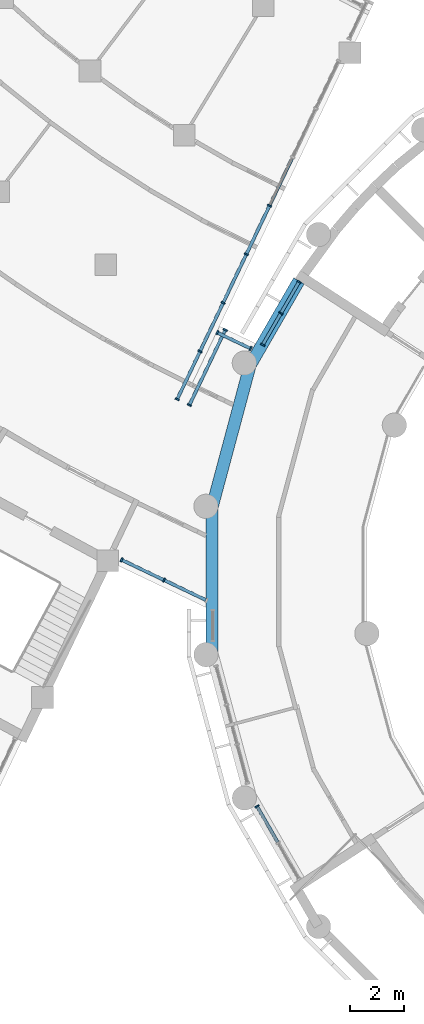
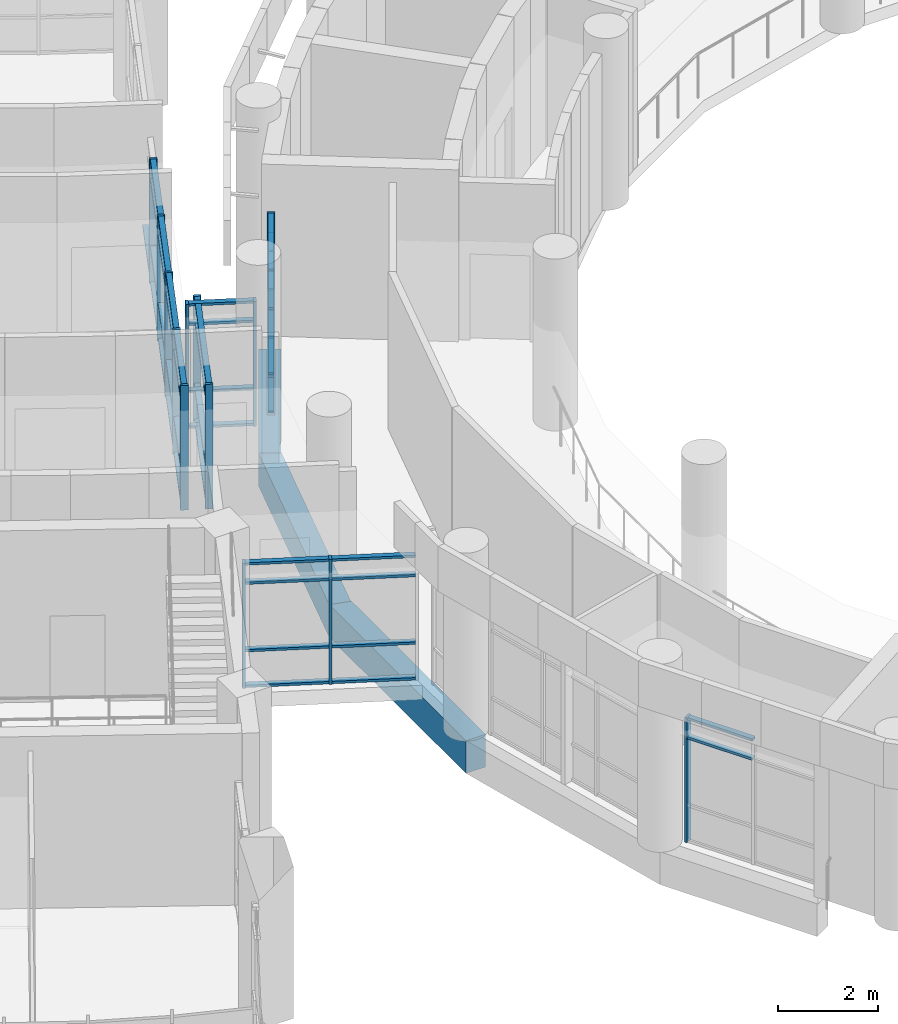
# One storey, part 7 of 109: 58 members, 3 beams, 6 elements without a shape of their own.
"""IFC4 building model written with IfcOpenShell, lengths in metres."""

import ifcopenshell
import ifcopenshell.guid

model = None  # the IFC model being written
_history = None  # IfcOwnerHistory: only IFC2X3 demands one
_inside = {}  # id of a spatial element -> (the spatial element, [elements in it])
_under = {}  # id of a project, library or spatial element -> (it, [spatial elements below it])
_declared = {}  # id of a project -> (the project, [libraries it declares])
_typed = {}  # id of a type object -> (the type object, [elements of that type])
_made_of = {}  # id of a material, layer set ... -> (it, [elements and type objects made of it])


def new_model(schema):
    """Start an empty IFC model of exactly this schema.

    Asked for "IFC4X3", IfcOpenShell would pick the latest addendum, in which some entities
    have other attributes; the version numbers below select the first issue.
    IFC2X3 requires an IfcOwnerHistory on every rooted entity: one is made here for all.
    """
    global model, _history
    if schema == "IFC4X3":
        model = ifcopenshell.file(schema_version=(4, 3, 0, 0))
    else:
        model = ifcopenshell.file(schema=schema)
    _inside.clear()
    _under.clear()
    _declared.clear()
    _typed.clear()
    _made_of.clear()
    _history = None
    if model.schema == "IFC2X3":
        org = make("IfcOrganization", Name="unknown")
        user = make(
            "IfcPersonAndOrganization",
            ThePerson=make("IfcPerson", FamilyName="unknown"),
            TheOrganization=org,
        )
        app = make(
            "IfcApplication",
            ApplicationDeveloper=org,
            Version="unknown",
            ApplicationFullName="unknown",
            ApplicationIdentifier="unknown",
        )
        _history = make(
            "IfcOwnerHistory",
            OwningUser=user,
            OwningApplication=app,
            ChangeAction="ADDED",
            CreationDate=0,
        )
    return model


def make(cls, **values):
    """One entity of the class cls with the attributes given. An attribute that is None is left unset."""
    return model.create_entity(
        cls, **{name: value for name, value in values.items() if value is not None}
    )


def rooted(cls, **values):
    """An entity with a GlobalId (a new one), such as an element, a storey or a relation."""
    return make(cls, GlobalId=ifcopenshell.guid.new(), OwnerHistory=_history, **values)


def si_unit(unit_type, name, prefix=None):
    """IfcSIUnit, for example si_unit("LENGTHUNIT", "METRE", prefix="MILLI")."""
    return make("IfcSIUnit", UnitType=unit_type, Prefix=prefix, Name=name)


def assignment(units):
    """IfcUnitAssignment: the units of a project."""
    return None if units is None else make("IfcUnitAssignment", Units=units)


def point(xyz):
    """IfcCartesianPoint."""
    return None if xyz is None else make("IfcCartesianPoint", Coordinates=xyz)


def direction(xyz):
    """IfcDirection."""
    return None if xyz is None else make("IfcDirection", DirectionRatios=xyz)


def frame(location, z_axis=None, x_axis=None):
    """IfcAxis2Placement3D, a coordinate frame: its origin and axes. An axis left out is left unset."""
    return make(
        "IfcAxis2Placement3D",
        Location=point(location),
        Axis=direction(z_axis),
        RefDirection=direction(x_axis),
    )


def frame_2d(location, x_axis=None):
    """IfcAxis2Placement2D, a coordinate frame in the plane: its origin and x axis."""
    return make(
        "IfcAxis2Placement2D", Location=point(location), RefDirection=direction(x_axis)
    )


def origin():
    """The frame at (0, 0, 0) with its axes left unset."""
    return frame((0.0, 0.0, 0.0))


def origin_2d():
    """The frame at (0, 0) in the plane with its x axis left unset."""
    return frame_2d((0.0, 0.0))


def place(relative_to, where):
    """IfcLocalPlacement: puts the frame where relative to a parent placement (None: the world)."""
    return make(
        "IfcLocalPlacement", PlacementRelTo=relative_to, RelativePlacement=where
    )


def context(
    kind, dimensions, precision=None, world=None, true_north=None, identifier=None
):
    """IfcGeometricRepresentationContext, for example the 3D "Model" context."""
    return make(
        "IfcGeometricRepresentationContext",
        ContextIdentifier=identifier,
        ContextType=kind,
        CoordinateSpaceDimension=dimensions,
        Precision=precision,
        WorldCoordinateSystem=world,
        TrueNorth=true_north,
    )


def subcontext(parent, identifier, kind, view, scale=None):
    """IfcGeometricRepresentationSubContext, for example "Body" below "Model"."""
    return make(
        "IfcGeometricRepresentationSubContext",
        ContextIdentifier=identifier,
        ContextType=kind,
        ParentContext=parent,
        TargetScale=scale,
        TargetView=view,
    )


def project(units=None, contexts=None):
    """IfcProject with its units and contexts."""
    return rooted(
        "IfcProject",
        Name="project",
        RepresentationContexts=contexts,
        UnitsInContext=assignment(units),
    )


def spatial(cls, under=None, at=None, **own):
    """A site, building, storey or space (cls), placed at a placement, below another one or the project."""
    s = rooted(cls, ObjectPlacement=at, **own)
    if under is not None:
        _under.setdefault(under.id(), (under, []))[1].append(s)
    return s


def profile(cls, at=None, kind="AREA", **sizes):
    """A parametric profile (cls). Its sizes go by their IFC names, for example OverallWidth=200.0."""
    return make(cls, ProfileType=kind, Position=at, **sizes)


def rectangle(**sizes):
    """IfcRectangleProfileDef."""
    return profile("IfcRectangleProfileDef", **sizes)


def extrude(swept, where, along, depth):
    """IfcExtrudedAreaSolid: the profile swept, set in the frame where, extruded along a direction by depth."""
    return make(
        "IfcExtrudedAreaSolid",
        SweptArea=swept,
        Position=where,
        ExtrudedDirection=direction(along),
        Depth=depth,
    )


def shape(context_of_items, identifier, shape_type, items):
    """IfcShapeRepresentation: the items that make up one representation, for example the "Body"."""
    return make(
        "IfcShapeRepresentation",
        ContextOfItems=context_of_items,
        RepresentationIdentifier=identifier,
        RepresentationType=shape_type,
        Items=items,
    )


def material(Name=None, Category=None):
    """IfcMaterial."""
    return make("IfcMaterial", Name=Name, Category=Category)


def material_profile(
    of_material, cross_section, Name=None, Category=None, Priority=None
):
    """IfcMaterialProfile: a cross section and its material."""
    return make(
        "IfcMaterialProfile",
        Name=Name,
        Material=of_material,
        Profile=cross_section,
        Priority=Priority,
        Category=Category,
    )


def profile_set(profiles, Name=None, composite=None):
    """IfcMaterialProfileSet."""
    return make(
        "IfcMaterialProfileSet",
        Name=Name,
        MaterialProfiles=profiles,
        CompositeProfile=composite,
    )


def made_of(thing, what):
    """Note that an element or type object is made of a material, layer set ...; save() writes the relation."""
    if what is not None:
        _made_of.setdefault(what.id(), (what, []))[1].append(thing)
    return thing


def type_object(cls, material=None, **own):
    """A type object (cls), such as IfcWallType, which elements share."""
    return made_of(rooted(cls, **own), material)


def element(
    cls,
    number,
    at=None,
    inside=None,
    cuts=None,
    type_object=None,
    material=None,
    context=None,
    identifier="Body",
    shape_type=None,
    held_by="IfcProductDefinitionShape",
    body=None,
    shapes=None,
    **own,
):
    """One element of the class cls, such as IfcWall. Its Tag is "e" and its number.

    at: its placement. inside: the storey or other place that contains it. cuts: it is an
    opening in that element (IfcRelVoidsElement). A single representation is given by context,
    identifier, shape_type and body (its items); several are given by shapes. held_by: the class
    of the entity that holds the representations. save() writes the other relations.
    """
    e = rooted(cls, Tag="e%d" % number, ObjectPlacement=at, **own)
    if body is not None:
        shapes = [shape(context, identifier, shape_type, body)]
    if shapes is not None:
        e.Representation = make(held_by, Representations=shapes)
    if inside is not None:
        _inside.setdefault(inside.id(), (inside, []))[1].append(e)
    if cuts is not None:
        rooted(
            "IfcRelVoidsElement", RelatingBuildingElement=cuts, RelatedOpeningElement=e
        )
    if type_object is not None:
        _typed.setdefault(type_object.id(), (type_object, []))[1].append(e)
    return made_of(e, material)


def aggregate(whole, parts):
    """IfcRelAggregates: a whole, such as a stair, and the parts it consists of."""
    return rooted("IfcRelAggregates", RelatingObject=whole, RelatedObjects=parts)


def save(model, path):
    """Write the relations noted so far, then the file.

    IfcRelAggregates (storeys below a building ...), IfcRelContainedInSpatialStructure (elements
    in a storey), IfcRelDefinesByType, IfcRelAssociatesMaterial and IfcRelDeclares: one each for
    every whole, place, type object, material and project.
    """
    for whole, parts in _under.values():
        aggregate(whole, parts)
    for where, things in _inside.values():
        rooted(
            "IfcRelContainedInSpatialStructure",
            RelatedElements=things,
            RelatingStructure=where,
        )
    for kind, things in _typed.values():
        rooted("IfcRelDefinesByType", RelatedObjects=things, RelatingType=kind)
    for what, things in _made_of.values():
        rooted("IfcRelAssociatesMaterial", RelatedObjects=things, RelatingMaterial=what)
    for by, libraries in _declared.values():
        rooted("IfcRelDeclares", RelatingContext=by, RelatedDefinitions=libraries)
    model.write(path)


model = new_model("IFC4")

# Units and contexts
model_context = context("Model", 3, precision=1e-05, world=origin(), true_north=direction((0.0, 1.0)))
body_context = subcontext(model_context, "Body", "Model", "MODEL_VIEW")
ifc_project = project(units=[si_unit("LENGTHUNIT", "METRE"), si_unit("AREAUNIT", "SQUARE_METRE"), si_unit("VOLUMEUNIT", "CUBIC_METRE"), si_unit("PLANEANGLEUNIT", "RADIAN"), si_unit("MASSUNIT", "GRAM", prefix="KILO")], contexts=[model_context])

# Site, building, storey
site_placement = place(None, origin())
site = spatial("IfcSite", under=ifc_project, at=site_placement, CompositionType="ELEMENT")
building_placement = place(site_placement, origin())
building = spatial("IfcBuilding", under=site, at=building_placement, Name="Bougainvillea Quay General Hospital", CompositionType="ELEMENT")
storey_placement = place(building_placement, frame((0.0, 0.0, 12.60009765625)))
storey = spatial("IfcBuildingStorey", under=building, at=storey_placement, Name="L02", CompositionType="ELEMENT", Elevation=12.60009765625)

# Curtain wall, members
ifc_material_1 = material(Name="Aluminium curtain wall system, powder-coated glazed", Category="aluminium")
curtain_wall_type_1 = type_object("IfcCurtainWallType", Name="Unitised curtain wall CW-1770", PredefinedType="NOTDEFINED", material=ifc_material_1)
curtain_wall_1_placement = place(storey_placement, origin())
curtain_wall_1 = element("IfcCurtainWall", 1, at=curtain_wall_1_placement, inside=storey, type_object=curtain_wall_type_1, Name="CW-AE 00", PredefinedType="NOTDEFINED")
ifc_material_2 = material(Name="Aluminium mullion, powder-coated charcoal", Category="aluminium")
ifc_material_profile_1 = material_profile(ifc_material_2, rectangle(XDim=0.159912109375, YDim=0.06005859375, at=origin_2d()))
ifc_profile_set_1 = profile_set([ifc_material_profile_1], Name="Aluminium mullion, powder-coated charcoal")
member_type_1 = type_object("IfcMemberType", Name="Curtain wall mullion 160x60", PredefinedType="MULLION", material=ifc_profile_set_1)
member_1_placement = place(storey_placement, frame((85.2607421875, 74.764892578125, 0.0), z_axis=(0.0, 0.0, 1.0), x_axis=(0.430463026068, 0.902608211345, 0.0)))
member_1 = element("IfcMember", 2, at=member_1_placement, type_object=member_type_1, Name="CW-AE mullion 1", PredefinedType="MULLION", context=body_context, shape_type="SweptSolid", body=[
    extrude(rectangle(XDim=0.159912109375, YDim=0.06005859375, at=origin_2d()), origin(), (0.0, 0.0, 1.0), 3.0498046875),
])
member_2_placement = place(storey_placement, frame((86.83056640625, 74.016357421875, 0.0), z_axis=(0.0, 0.0, 1.0), x_axis=(0.430463026068, 0.902608211345, 0.0)))
member_2 = element("IfcMember", 3, at=member_2_placement, type_object=member_type_1, Name="CW-AE mullion 2", PredefinedType="MULLION", context=body_context, shape_type="SweptSolid", body=[
    extrude(rectangle(XDim=0.159912109375, YDim=0.06005859375, at=origin_2d()), origin(), (0.0, 0.0, 1.0), 3.0498046875),
])

curtain_wall_type_2 = type_object("IfcCurtainWallType", Name="Unitised curtain wall CW-1422", PredefinedType="NOTDEFINED", material=ifc_material_1)
curtain_wall_2_placement = place(storey_placement, origin())
curtain_wall_2 = element("IfcCurtainWall", 4, at=curtain_wall_2_placement, inside=storey, type_object=curtain_wall_type_2, Name="CW-AE 00", PredefinedType="NOTDEFINED")
member_3_placement = place(storey_placement, frame((90.0283203125, 82.5732421875, 0.0), z_axis=(0.0, 0.0, 1.0), x_axis=(-0.430534245195, -0.902574242771, 0.0)))
member_3 = element("IfcMember", 5, at=member_3_placement, type_object=member_type_1, Name="CW-AE mullion 1", PredefinedType="MULLION", context=body_context, shape_type="SweptSolid", body=[
    extrude(rectangle(XDim=0.159912109375, YDim=0.06005859375, at=origin_2d()), origin(), (0.0, 0.0, 1.0), 3.0498046875),
])
member_4_placement = place(storey_placement, frame((88.799560546875, 83.159423828125, 0.0), z_axis=(0.0, 0.0, 1.0), x_axis=(-0.430534245195, -0.902574242771, 0.0)))
member_4 = element("IfcMember", 6, at=member_4_placement, type_object=member_type_1, Name="CW-AE mullion 2", PredefinedType="MULLION", context=body_context, shape_type="SweptSolid", body=[
    extrude(rectangle(XDim=0.159912109375, YDim=0.06005859375, at=origin_2d()), origin(), (0.0, 0.0, 1.0), 3.0498046875),
])

curtain_wall_type_3 = type_object("IfcCurtainWallType", Name="Unitised curtain wall CW-3140", PredefinedType="NOTDEFINED", material=ifc_material_1)
curtain_wall_3_placement = place(storey_placement, origin())
curtain_wall_3 = element("IfcCurtainWall", 7, at=curtain_wall_3_placement, inside=storey, type_object=curtain_wall_type_3, Name="CW-AE 00", PredefinedType="NOTDEFINED")
member_5_placement = place(storey_placement, frame((89.0927734375, 83.26318359375, 0.0), z_axis=(0.0, 0.0, 1.0), x_axis=(0.902495109384, -0.430700101624, 0.0)))
member_5 = element("IfcMember", 8, at=member_5_placement, type_object=member_type_1, Name="CW-AE mullion 1", PredefinedType="MULLION", context=body_context, shape_type="SweptSolid", body=[
    extrude(rectangle(XDim=0.159912109375, YDim=0.06005859375, at=origin_2d()), origin(), (0.0, 0.0, 1.0), 3.0498046875),
])
member_6_placement = place(storey_placement, frame((87.7666015625, 80.484375, 0.0), z_axis=(0.0, 0.0, 1.0), x_axis=(0.902495109384, -0.430700101624, 0.0)))
member_6 = element("IfcMember", 9, at=member_6_placement, type_object=member_type_1, Name="CW-AE mullion 2", PredefinedType="MULLION", context=body_context, shape_type="SweptSolid", body=[
    extrude(rectangle(XDim=0.159912109375, YDim=0.06005859375, at=origin_2d()), origin(), (0.0, 0.0, 1.0), 3.0498046875),
])

curtain_wall_type_4 = type_object("IfcCurtainWallType", Name="Unitised curtain wall CW-1989", PredefinedType="NOTDEFINED", material=ifc_material_1)
curtain_wall_4_placement = place(storey_placement, origin())
curtain_wall_4 = element("IfcCurtainWall", 10, at=curtain_wall_4_placement, inside=storey, type_object=curtain_wall_type_4, Name="CW-AE 00", PredefinedType="NOTDEFINED")
member_7_placement = place(storey_placement, frame((87.315185546875, 80.69970703125, 0.0), z_axis=(0.0, 0.0, 1.0), x_axis=(-0.902560506484, 0.430563040838, 0.0)))
member_7 = element("IfcMember", 11, at=member_7_placement, type_object=member_type_1, Name="CW-AE mullion 1", PredefinedType="MULLION", context=body_context, shape_type="SweptSolid", body=[
    extrude(rectangle(XDim=0.159912109375, YDim=0.06005859375, at=origin_2d()), origin(), (0.0, 0.0, 1.0), 3.0498046875),
])
member_8_placement = place(storey_placement, frame((88.158447265625, 82.46728515625, 0.0), z_axis=(0.0, 0.0, 1.0), x_axis=(-0.902560506484, 0.430563040838, 0.0)))
member_8 = element("IfcMember", 12, at=member_8_placement, type_object=member_type_1, Name="CW-AE mullion 2", PredefinedType="MULLION", context=body_context, shape_type="SweptSolid", body=[
    extrude(rectangle(XDim=0.159912109375, YDim=0.06005859375, at=origin_2d()), origin(), (0.0, 0.0, 1.0), 3.0498046875),
])
member_9_placement = place(storey_placement, frame((89.0146484375, 84.261962890625, 0.0), z_axis=(0.0, 0.0, 1.0), x_axis=(-0.902560506484, 0.430563040838, 0.0)))
member_9 = element("IfcMember", 13, at=member_9_placement, type_object=member_type_1, Name="CW-AE mullion 3", PredefinedType="MULLION", context=body_context, shape_type="SweptSolid", body=[
    extrude(rectangle(XDim=0.159912109375, YDim=0.06005859375, at=origin_2d()), origin(), (0.0, 0.0, 1.0), 3.0498046875),
])
member_10_placement = place(storey_placement, frame((89.870849609375, 86.056640625, 0.0), z_axis=(0.0, 0.0, 1.0), x_axis=(-0.902560506484, 0.430563040838, 0.0)))
member_10 = element("IfcMember", 14, at=member_10_placement, type_object=member_type_1, Name="CW-AE mullion 4", PredefinedType="MULLION", context=body_context, shape_type="SweptSolid", body=[
    extrude(rectangle(XDim=0.159912109375, YDim=0.06005859375, at=origin_2d()), origin(), (0.0, 0.0, 1.0), 3.0498046875),
])
member_11_placement = place(storey_placement, frame((90.72705078125, 87.8515625, 0.0), z_axis=(0.0, 0.0, 1.0), x_axis=(-0.902560506484, 0.430563040838, 0.0)))
member_11 = element("IfcMember", 15, at=member_11_placement, type_object=member_type_1, Name="CW-AE mullion 5", PredefinedType="MULLION", context=body_context, shape_type="SweptSolid", body=[
    extrude(rectangle(XDim=0.159912109375, YDim=0.06005859375, at=origin_2d()), origin(), (0.0, 0.0, 1.0), 3.0498046875),
])

# Curtain wall, member
curtain_wall_type_5 = type_object("IfcCurtainWallType", Name="Unitised curtain wall CW-1585", PredefinedType="NOTDEFINED", material=ifc_material_1)
curtain_wall_5_placement = place(storey_placement, origin())
curtain_wall_5 = element("IfcCurtainWall", 16, at=curtain_wall_5_placement, inside=storey, type_object=curtain_wall_type_5, Name="CW-D 00", PredefinedType="NOTDEFINED")
member_12_placement = place(storey_placement, frame((90.265380859375, 65.656005859375, 0.0), z_axis=(0.0, 0.0, 1.0), x_axis=(0.866045865692, 0.499964557262, 0.0)))
member_12 = element("IfcMember", 17, at=member_12_placement, type_object=member_type_1, Name="CW-D mullion 1", PredefinedType="MULLION", context=body_context, shape_type="SweptSolid", body=[
    extrude(rectangle(XDim=0.159912109375, YDim=0.06005859375, at=origin_2d()), origin(), (0.0, 0.0, 1.0), 3.0498046875),
])

# Curtain wall, members
curtain_wall_type_6 = type_object("IfcCurtainWallType", Name="Unitised curtain wall CW-1372", PredefinedType="NOTDEFINED", material=ifc_material_1)
curtain_wall_6_placement = place(storey_placement, origin())
curtain_wall_6 = element("IfcCurtainWall", 18, at=curtain_wall_6_placement, inside=storey, type_object=curtain_wall_type_6, Name="CW-D 00", PredefinedType="NOTDEFINED")
member_13_placement = place(storey_placement, frame((91.8203125, 85.037353515625, 0.0), z_axis=(0.0, 0.0, 1.0), x_axis=(0.866047615473, -0.499961526253, 0.0)))
member_13 = element("IfcMember", 19, at=member_13_placement, type_object=member_type_1, Name="CW-D mullion 1", PredefinedType="MULLION", context=body_context, shape_type="SweptSolid", body=[
    extrude(rectangle(XDim=0.159912109375, YDim=0.06005859375, at=origin_2d()), origin(), (0.0, 0.0, 1.0), 3.0498046875),
])
member_14_placement = place(storey_placement, frame((91.1494140625, 83.875244140625, 0.0), z_axis=(0.0, 0.0, 1.0), x_axis=(0.866047615473, -0.499961526253, 0.0)))
member_14 = element("IfcMember", 20, at=member_14_placement, type_object=member_type_1, Name="CW-D mullion 2", PredefinedType="MULLION", context=body_context, shape_type="SweptSolid", body=[
    extrude(rectangle(XDim=0.159912109375, YDim=0.06005859375, at=origin_2d()), origin(), (0.0, 0.0, 1.0), 3.0498046875),
])
member_15_placement = place(storey_placement, frame((90.478515625, 82.712890625, 0.0), z_axis=(0.0, 0.0, 1.0), x_axis=(0.866047615473, -0.499961526253, 0.0)))
member_15 = element("IfcMember", 21, at=member_15_placement, type_object=member_type_1, Name="CW-D mullion 3", PredefinedType="MULLION", context=body_context, shape_type="SweptSolid", body=[
    extrude(rectangle(XDim=0.159912109375, YDim=0.06005859375, at=origin_2d()), origin(), (0.0, 0.0, 1.0), 3.0498046875),
])

# Member
ifc_material_3 = material(Name="Aluminium transom, powder-coated charcoal", Category="aluminium")
ifc_material_profile_2 = material_profile(ifc_material_3, rectangle(XDim=0.1201171875, YDim=0.06005859375, at=origin_2d()))
ifc_profile_set_2 = profile_set([ifc_material_profile_2], Name="Aluminium transom, powder-coated charcoal")
member_type_2 = type_object("IfcMemberType", Name="Curtain wall transom 120x60", PredefinedType="USERDEFINED", material=ifc_profile_set_2)
member_16_placement = place(storey_placement, frame((85.287841796875, 74.751953125, 0.02978515625), z_axis=(0.90258890605, -0.430503503675, 0.0), x_axis=(0.430503503675, 0.90258890605, 0.0)))
member_16 = element("IfcMember", 22, at=member_16_placement, type_object=member_type_2, Name="CW-AE transom 1.1", ObjectType="TRANSOM", PredefinedType="USERDEFINED", context=body_context, shape_type="SweptSolid", body=[
    extrude(rectangle(XDim=0.1201171875, YDim=0.06005859375, at=origin_2d()), origin(), (0.0, 0.0, 1.0), 1.67919921875),
])

member_17_placement = place(storey_placement, frame((85.287841796875, 74.751953125, 0.89990234375), z_axis=(0.90258890605, -0.430503503675, 0.0), x_axis=(0.430503503675, 0.90258890605, 0.0)))
member_17 = element("IfcMember", 23, at=member_17_placement, type_object=member_type_2, Name="CW-AE transom 1.2", ObjectType="TRANSOM", PredefinedType="USERDEFINED", context=body_context, shape_type="SweptSolid", body=[
    extrude(rectangle(XDim=0.1201171875, YDim=0.06005859375, at=origin_2d()), origin(), (0.0, 0.0, 1.0), 1.67919921875),
])

member_18_placement = place(storey_placement, frame((85.287841796875, 74.751953125, 2.5498046875), z_axis=(0.90258890605, -0.430503503675, 0.0), x_axis=(0.430503503675, 0.90258890605, 0.0)))
member_18 = element("IfcMember", 24, at=member_18_placement, type_object=member_type_2, Name="CW-AE transom 1.3", ObjectType="TRANSOM", PredefinedType="USERDEFINED", context=body_context, shape_type="SweptSolid", body=[
    extrude(rectangle(XDim=0.1201171875, YDim=0.06005859375, at=origin_2d()), origin(), (0.0, 0.0, 1.0), 1.67919921875),
])

member_19_placement = place(storey_placement, frame((85.287841796875, 74.751953125, 3.02001953125), z_axis=(0.90258890605, -0.430503503675, 0.0), x_axis=(0.430503503675, 0.90258890605, 0.0)))
member_19 = element("IfcMember", 25, at=member_19_placement, type_object=member_type_2, Name="CW-AE transom 1.4", ObjectType="TRANSOM", PredefinedType="USERDEFINED", context=body_context, shape_type="SweptSolid", body=[
    extrude(rectangle(XDim=0.1201171875, YDim=0.06005859375, at=origin_2d()), origin(), (0.0, 0.0, 1.0), 1.67919921875),
])

member_20_placement = place(storey_placement, frame((86.857666015625, 74.00341796875, 0.02978515625), z_axis=(0.902615846582, -0.430447015901, 0.0), x_axis=(0.430447015901, 0.902615846582, 0.0)))
member_20 = element("IfcMember", 26, at=member_20_placement, type_object=member_type_2, Name="CW-AE transom 2.1", ObjectType="TRANSOM", PredefinedType="USERDEFINED", context=body_context, shape_type="SweptSolid", body=[
    extrude(rectangle(XDim=0.1201171875, YDim=0.06005859375, at=origin_2d()), origin(), (0.0, 0.0, 1.0), 1.679443359375),
])

member_21_placement = place(storey_placement, frame((86.857666015625, 74.00341796875, 0.89990234375), z_axis=(0.902615846582, -0.430447015901, 0.0), x_axis=(0.430447015901, 0.902615846582, 0.0)))
member_21 = element("IfcMember", 27, at=member_21_placement, type_object=member_type_2, Name="CW-AE transom 2.2", ObjectType="TRANSOM", PredefinedType="USERDEFINED", context=body_context, shape_type="SweptSolid", body=[
    extrude(rectangle(XDim=0.1201171875, YDim=0.06005859375, at=origin_2d()), origin(), (0.0, 0.0, 1.0), 1.679443359375),
])

member_22_placement = place(storey_placement, frame((86.857666015625, 74.00341796875, 2.5498046875), z_axis=(0.902615846582, -0.430447015901, 0.0), x_axis=(0.430447015901, 0.902615846582, 0.0)))
member_22 = element("IfcMember", 28, at=member_22_placement, type_object=member_type_2, Name="CW-AE transom 2.3", ObjectType="TRANSOM", PredefinedType="USERDEFINED", context=body_context, shape_type="SweptSolid", body=[
    extrude(rectangle(XDim=0.1201171875, YDim=0.06005859375, at=origin_2d()), origin(), (0.0, 0.0, 1.0), 1.679443359375),
])

member_23_placement = place(storey_placement, frame((86.857666015625, 74.00341796875, 3.02001953125), z_axis=(0.902615846582, -0.430447015901, 0.0), x_axis=(0.430447015901, 0.902615846582, 0.0)))
member_23 = element("IfcMember", 29, at=member_23_placement, type_object=member_type_2, Name="CW-AE transom 2.4", ObjectType="TRANSOM", PredefinedType="USERDEFINED", context=body_context, shape_type="SweptSolid", body=[
    extrude(rectangle(XDim=0.1201171875, YDim=0.06005859375, at=origin_2d()), origin(), (0.0, 0.0, 1.0), 1.679443359375),
])

aggregate(curtain_wall_1, [member_1, member_2, member_16, member_17, member_18, member_19, member_20, member_21, member_22, member_23])

member_24_placement = place(storey_placement, frame((90.001220703125, 82.586181640625, 0.02978515625), z_axis=(-0.902600317452, 0.430479577837, 0.0), x_axis=(-0.430479577837, -0.902600317452, 0.0)))
member_24 = element("IfcMember", 30, at=member_24_placement, type_object=member_type_2, Name="CW-AE transom 1.1", ObjectType="TRANSOM", PredefinedType="USERDEFINED", context=body_context, shape_type="SweptSolid", body=[
    extrude(rectangle(XDim=0.1201171875, YDim=0.06005859375, at=origin_2d()), origin(), (0.0, 0.0, 1.0), 1.301513671875),
])

member_25_placement = place(storey_placement, frame((90.001220703125, 82.586181640625, 0.89990234375), z_axis=(-0.902600317452, 0.430479577837, 0.0), x_axis=(-0.430479577837, -0.902600317452, 0.0)))
member_25 = element("IfcMember", 31, at=member_25_placement, type_object=member_type_2, Name="CW-AE transom 1.2", ObjectType="TRANSOM", PredefinedType="USERDEFINED", context=body_context, shape_type="SweptSolid", body=[
    extrude(rectangle(XDim=0.1201171875, YDim=0.06005859375, at=origin_2d()), origin(), (0.0, 0.0, 1.0), 1.301513671875),
])

member_26_placement = place(storey_placement, frame((90.001220703125, 82.586181640625, 2.5498046875), z_axis=(-0.902600317452, 0.430479577837, 0.0), x_axis=(-0.430479577837, -0.902600317452, 0.0)))
member_26 = element("IfcMember", 32, at=member_26_placement, type_object=member_type_2, Name="CW-AE transom 1.3", ObjectType="TRANSOM", PredefinedType="USERDEFINED", context=body_context, shape_type="SweptSolid", body=[
    extrude(rectangle(XDim=0.1201171875, YDim=0.06005859375, at=origin_2d()), origin(), (0.0, 0.0, 1.0), 1.301513671875),
])

member_27_placement = place(storey_placement, frame((90.001220703125, 82.586181640625, 3.02001953125), z_axis=(-0.902600317452, 0.430479577837, 0.0), x_axis=(-0.430479577837, -0.902600317452, 0.0)))
member_27 = element("IfcMember", 33, at=member_27_placement, type_object=member_type_2, Name="CW-AE transom 1.4", ObjectType="TRANSOM", PredefinedType="USERDEFINED", context=body_context, shape_type="SweptSolid", body=[
    extrude(rectangle(XDim=0.1201171875, YDim=0.06005859375, at=origin_2d()), origin(), (0.0, 0.0, 1.0), 1.301513671875),
])

aggregate(curtain_wall_2, [member_3, member_4, member_24, member_25, member_26, member_27])

member_28_placement = place(storey_placement, frame((89.079833984375, 83.236083984375, 0.02978515625), z_axis=(-0.430705635106, -0.902492468604, 0.0), x_axis=(0.902492468604, -0.430705635106, 0.0)))
member_28 = element("IfcMember", 34, at=member_28_placement, type_object=member_type_2, Name="CW-AE transom 1.1", ObjectType="TRANSOM", PredefinedType="USERDEFINED", context=body_context, shape_type="SweptSolid", body=[
    extrude(rectangle(XDim=0.1201171875, YDim=0.06005859375, at=origin_2d()), origin(), (0.0, 0.0, 1.0), 3.01904296875),
])

member_29_placement = place(storey_placement, frame((89.079833984375, 83.236083984375, 0.89990234375), z_axis=(-0.430705635106, -0.902492468604, 0.0), x_axis=(0.902492468604, -0.430705635106, 0.0)))
member_29 = element("IfcMember", 35, at=member_29_placement, type_object=member_type_2, Name="CW-AE transom 1.2", ObjectType="TRANSOM", PredefinedType="USERDEFINED", context=body_context, shape_type="SweptSolid", body=[
    extrude(rectangle(XDim=0.1201171875, YDim=0.06005859375, at=origin_2d()), origin(), (0.0, 0.0, 1.0), 3.01904296875),
])

member_30_placement = place(storey_placement, frame((89.079833984375, 83.236083984375, 2.5498046875), z_axis=(-0.430705635106, -0.902492468604, 0.0), x_axis=(0.902492468604, -0.430705635106, 0.0)))
member_30 = element("IfcMember", 36, at=member_30_placement, type_object=member_type_2, Name="CW-AE transom 1.3", ObjectType="TRANSOM", PredefinedType="USERDEFINED", context=body_context, shape_type="SweptSolid", body=[
    extrude(rectangle(XDim=0.1201171875, YDim=0.06005859375, at=origin_2d()), origin(), (0.0, 0.0, 1.0), 3.01904296875),
])

member_31_placement = place(storey_placement, frame((89.079833984375, 83.236083984375, 3.02001953125), z_axis=(-0.430705635106, -0.902492468604, 0.0), x_axis=(0.902492468604, -0.430705635106, 0.0)))
member_31 = element("IfcMember", 37, at=member_31_placement, type_object=member_type_2, Name="CW-AE transom 1.4", ObjectType="TRANSOM", PredefinedType="USERDEFINED", context=body_context, shape_type="SweptSolid", body=[
    extrude(rectangle(XDim=0.1201171875, YDim=0.06005859375, at=origin_2d()), origin(), (0.0, 0.0, 1.0), 3.01904296875),
])

aggregate(curtain_wall_3, [member_5, member_6, member_28, member_29, member_30, member_31])

member_32_placement = place(storey_placement, frame((87.328125, 80.726806640625, 0.02978515625), z_axis=(0.43057246086, 0.902556012638, 0.0), x_axis=(-0.902556012638, 0.43057246086, 0.0)))
member_32 = element("IfcMember", 38, at=member_32_placement, type_object=member_type_2, Name="CW-AE transom 1.1", ObjectType="TRANSOM", PredefinedType="USERDEFINED", context=body_context, shape_type="SweptSolid", body=[
    extrude(rectangle(XDim=0.1201171875, YDim=0.06005859375, at=origin_2d()), origin(), (0.0, 0.0, 1.0), 1.8984375),
])

member_33_placement = place(storey_placement, frame((87.328125, 80.726806640625, 0.89990234375), z_axis=(0.43057246086, 0.902556012638, 0.0), x_axis=(-0.902556012638, 0.43057246086, 0.0)))
member_33 = element("IfcMember", 39, at=member_33_placement, type_object=member_type_2, Name="CW-AE transom 1.2", ObjectType="TRANSOM", PredefinedType="USERDEFINED", context=body_context, shape_type="SweptSolid", body=[
    extrude(rectangle(XDim=0.1201171875, YDim=0.06005859375, at=origin_2d()), origin(), (0.0, 0.0, 1.0), 1.8984375),
])

member_34_placement = place(storey_placement, frame((87.328125, 80.726806640625, 2.5498046875), z_axis=(0.43057246086, 0.902556012638, 0.0), x_axis=(-0.902556012638, 0.43057246086, 0.0)))
member_34 = element("IfcMember", 40, at=member_34_placement, type_object=member_type_2, Name="CW-AE transom 1.3", ObjectType="TRANSOM", PredefinedType="USERDEFINED", context=body_context, shape_type="SweptSolid", body=[
    extrude(rectangle(XDim=0.1201171875, YDim=0.06005859375, at=origin_2d()), origin(), (0.0, 0.0, 1.0), 1.8984375),
])

member_35_placement = place(storey_placement, frame((87.328125, 80.726806640625, 3.02001953125), z_axis=(0.43057246086, 0.902556012638, 0.0), x_axis=(-0.902556012638, 0.43057246086, 0.0)))
member_35 = element("IfcMember", 41, at=member_35_placement, type_object=member_type_2, Name="CW-AE transom 1.4", ObjectType="TRANSOM", PredefinedType="USERDEFINED", context=body_context, shape_type="SweptSolid", body=[
    extrude(rectangle(XDim=0.1201171875, YDim=0.06005859375, at=origin_2d()), origin(), (0.0, 0.0, 1.0), 1.8984375),
])

member_36_placement = place(storey_placement, frame((88.17138671875, 82.494384765625, 0.02978515625), z_axis=(0.430577251532, 0.902553727189, 0.0), x_axis=(-0.902553727189, 0.430577251532, 0.0)))
member_36 = element("IfcMember", 42, at=member_36_placement, type_object=member_type_2, Name="CW-AE transom 2.1", ObjectType="TRANSOM", PredefinedType="USERDEFINED", context=body_context, shape_type="SweptSolid", body=[
    extrude(rectangle(XDim=0.1201171875, YDim=0.06005859375, at=origin_2d()), origin(), (0.0, 0.0, 1.0), 1.928466796875),
])

member_37_placement = place(storey_placement, frame((88.17138671875, 82.494384765625, 0.89990234375), z_axis=(0.430577251532, 0.902553727189, 0.0), x_axis=(-0.902553727189, 0.430577251532, 0.0)))
member_37 = element("IfcMember", 43, at=member_37_placement, type_object=member_type_2, Name="CW-AE transom 2.2", ObjectType="TRANSOM", PredefinedType="USERDEFINED", context=body_context, shape_type="SweptSolid", body=[
    extrude(rectangle(XDim=0.1201171875, YDim=0.06005859375, at=origin_2d()), origin(), (0.0, 0.0, 1.0), 1.928466796875),
])

member_38_placement = place(storey_placement, frame((88.17138671875, 82.494384765625, 2.5498046875), z_axis=(0.430577251532, 0.902553727189, 0.0), x_axis=(-0.902553727189, 0.430577251532, 0.0)))
member_38 = element("IfcMember", 44, at=member_38_placement, type_object=member_type_2, Name="CW-AE transom 2.3", ObjectType="TRANSOM", PredefinedType="USERDEFINED", context=body_context, shape_type="SweptSolid", body=[
    extrude(rectangle(XDim=0.1201171875, YDim=0.06005859375, at=origin_2d()), origin(), (0.0, 0.0, 1.0), 1.928466796875),
])

member_39_placement = place(storey_placement, frame((88.17138671875, 82.494384765625, 3.02001953125), z_axis=(0.430577251532, 0.902553727189, 0.0), x_axis=(-0.902553727189, 0.430577251532, 0.0)))
member_39 = element("IfcMember", 45, at=member_39_placement, type_object=member_type_2, Name="CW-AE transom 2.4", ObjectType="TRANSOM", PredefinedType="USERDEFINED", context=body_context, shape_type="SweptSolid", body=[
    extrude(rectangle(XDim=0.1201171875, YDim=0.06005859375, at=origin_2d()), origin(), (0.0, 0.0, 1.0), 1.928466796875),
])

member_40_placement = place(storey_placement, frame((89.027587890625, 84.2890625, 0.02978515625), z_axis=(0.430528056118, 0.902577194978, 0.0), x_axis=(-0.902577194978, 0.430528056118, 0.0)))
member_40 = element("IfcMember", 46, at=member_40_placement, type_object=member_type_2, Name="CW-AE transom 3.1", ObjectType="TRANSOM", PredefinedType="USERDEFINED", context=body_context, shape_type="SweptSolid", body=[
    extrude(rectangle(XDim=0.1201171875, YDim=0.06005859375, at=origin_2d()), origin(), (0.0, 0.0, 1.0), 1.9287109375),
])

member_41_placement = place(storey_placement, frame((89.027587890625, 84.2890625, 0.89990234375), z_axis=(0.430528056118, 0.902577194978, 0.0), x_axis=(-0.902577194978, 0.430528056118, 0.0)))
member_41 = element("IfcMember", 47, at=member_41_placement, type_object=member_type_2, Name="CW-AE transom 3.2", ObjectType="TRANSOM", PredefinedType="USERDEFINED", context=body_context, shape_type="SweptSolid", body=[
    extrude(rectangle(XDim=0.1201171875, YDim=0.06005859375, at=origin_2d()), origin(), (0.0, 0.0, 1.0), 1.9287109375),
])

member_42_placement = place(storey_placement, frame((89.027587890625, 84.2890625, 2.5498046875), z_axis=(0.430528056118, 0.902577194978, 0.0), x_axis=(-0.902577194978, 0.430528056118, 0.0)))
member_42 = element("IfcMember", 48, at=member_42_placement, type_object=member_type_2, Name="CW-AE transom 3.3", ObjectType="TRANSOM", PredefinedType="USERDEFINED", context=body_context, shape_type="SweptSolid", body=[
    extrude(rectangle(XDim=0.1201171875, YDim=0.06005859375, at=origin_2d()), origin(), (0.0, 0.0, 1.0), 1.9287109375),
])

member_43_placement = place(storey_placement, frame((89.027587890625, 84.2890625, 3.02001953125), z_axis=(0.430528056118, 0.902577194978, 0.0), x_axis=(-0.902577194978, 0.430528056118, 0.0)))
member_43 = element("IfcMember", 49, at=member_43_placement, type_object=member_type_2, Name="CW-AE transom 3.4", ObjectType="TRANSOM", PredefinedType="USERDEFINED", context=body_context, shape_type="SweptSolid", body=[
    extrude(rectangle(XDim=0.1201171875, YDim=0.06005859375, at=origin_2d()), origin(), (0.0, 0.0, 1.0), 1.9287109375),
])

member_44_placement = place(storey_placement, frame((89.8837890625, 86.083740234375, 0.02978515625), z_axis=(0.430528056118, 0.902577194978, 0.0), x_axis=(-0.902577194978, 0.430528056118, 0.0)))
member_44 = element("IfcMember", 50, at=member_44_placement, type_object=member_type_2, Name="CW-AE transom 4.1", ObjectType="TRANSOM", PredefinedType="USERDEFINED", context=body_context, shape_type="SweptSolid", body=[
    extrude(rectangle(XDim=0.1201171875, YDim=0.06005859375, at=origin_2d()), origin(), (0.0, 0.0, 1.0), 1.9287109375),
])

member_45_placement = place(storey_placement, frame((89.8837890625, 86.083740234375, 0.89990234375), z_axis=(0.430528056118, 0.902577194978, 0.0), x_axis=(-0.902577194978, 0.430528056118, 0.0)))
member_45 = element("IfcMember", 51, at=member_45_placement, type_object=member_type_2, Name="CW-AE transom 4.2", ObjectType="TRANSOM", PredefinedType="USERDEFINED", context=body_context, shape_type="SweptSolid", body=[
    extrude(rectangle(XDim=0.1201171875, YDim=0.06005859375, at=origin_2d()), origin(), (0.0, 0.0, 1.0), 1.9287109375),
])

member_46_placement = place(storey_placement, frame((89.8837890625, 86.083740234375, 2.5498046875), z_axis=(0.430528056118, 0.902577194978, 0.0), x_axis=(-0.902577194978, 0.430528056118, 0.0)))
member_46 = element("IfcMember", 52, at=member_46_placement, type_object=member_type_2, Name="CW-AE transom 4.3", ObjectType="TRANSOM", PredefinedType="USERDEFINED", context=body_context, shape_type="SweptSolid", body=[
    extrude(rectangle(XDim=0.1201171875, YDim=0.06005859375, at=origin_2d()), origin(), (0.0, 0.0, 1.0), 1.9287109375),
])

member_47_placement = place(storey_placement, frame((89.8837890625, 86.083740234375, 3.02001953125), z_axis=(0.430528056118, 0.902577194978, 0.0), x_axis=(-0.902577194978, 0.430528056118, 0.0)))
member_47 = element("IfcMember", 53, at=member_47_placement, type_object=member_type_2, Name="CW-AE transom 4.4", ObjectType="TRANSOM", PredefinedType="USERDEFINED", context=body_context, shape_type="SweptSolid", body=[
    extrude(rectangle(XDim=0.1201171875, YDim=0.06005859375, at=origin_2d()), origin(), (0.0, 0.0, 1.0), 1.9287109375),
])

member_48_placement = place(storey_placement, frame((90.739990234375, 87.878662109375, 0.02978515625), z_axis=(0.430577251532, 0.902553727189, 0.0), x_axis=(-0.902553727189, 0.430577251532, 0.0)))
member_48 = element("IfcMember", 54, at=member_48_placement, type_object=member_type_2, Name="CW-AE transom 5.1", ObjectType="TRANSOM", PredefinedType="USERDEFINED", context=body_context, shape_type="SweptSolid", body=[
    extrude(rectangle(XDim=0.1201171875, YDim=0.06005859375, at=origin_2d()), origin(), (0.0, 0.0, 1.0), 1.928466796875),
])

aggregate(curtain_wall_4, [member_7, member_8, member_9, member_10, member_11, member_32, member_33, member_34, member_35, member_36, member_37, member_38, member_39, member_40, member_41, member_42, member_43, member_44, member_45, member_46, member_47, member_48])

member_49_placement = place(storey_placement, frame((90.280517578125, 65.6298828125, 2.5498046875), z_axis=(0.499986386223, -0.866033263559, 0.0), x_axis=(0.866033263559, 0.499986386223, 0.0)))
member_49 = element("IfcMember", 55, at=member_49_placement, type_object=member_type_2, Name="CW-D transom 1.3", ObjectType="TRANSOM", PredefinedType="USERDEFINED", context=body_context, shape_type="SweptSolid", body=[
    extrude(rectangle(XDim=0.1201171875, YDim=0.06005859375, at=origin_2d()), origin(), (0.0, 0.0, 1.0), 1.49462890625),
])

member_50_placement = place(storey_placement, frame((90.280517578125, 65.6298828125, 3.02001953125), z_axis=(0.499986386223, -0.866033263559, 0.0), x_axis=(0.866033263559, 0.499986386223, 0.0)))
member_50 = element("IfcMember", 56, at=member_50_placement, type_object=member_type_2, Name="CW-D transom 1.4", ObjectType="TRANSOM", PredefinedType="USERDEFINED", context=body_context, shape_type="SweptSolid", body=[
    extrude(rectangle(XDim=0.1201171875, YDim=0.06005859375, at=origin_2d()), origin(), (0.0, 0.0, 1.0), 1.49462890625),
])

aggregate(curtain_wall_5, [member_12, member_49, member_50])

member_51_placement = place(storey_placement, frame((91.805419921875, 85.01123046875, 0.02978515625), z_axis=(-0.500112596238, -0.865960386556, 0.0), x_axis=(0.865960386556, -0.500112596238, 0.0)))
member_51 = element("IfcMember", 57, at=member_51_placement, type_object=member_type_2, Name="CW-D transom 1.1", ObjectType="TRANSOM", PredefinedType="USERDEFINED", context=body_context, shape_type="SweptSolid", body=[
    extrude(rectangle(XDim=0.1201171875, YDim=0.06005859375, at=origin_2d()), origin(), (0.0, 0.0, 1.0), 1.281982421875),
])

member_52_placement = place(storey_placement, frame((91.805419921875, 85.01123046875, 0.89990234375), z_axis=(-0.500112596238, -0.865960386556, 0.0), x_axis=(0.865960386556, -0.500112596238, 0.0)))
member_52 = element("IfcMember", 58, at=member_52_placement, type_object=member_type_2, Name="CW-D transom 1.2", ObjectType="TRANSOM", PredefinedType="USERDEFINED", context=body_context, shape_type="SweptSolid", body=[
    extrude(rectangle(XDim=0.1201171875, YDim=0.06005859375, at=origin_2d()), origin(), (0.0, 0.0, 1.0), 1.281982421875),
])

member_53_placement = place(storey_placement, frame((91.805419921875, 85.01123046875, 2.5498046875), z_axis=(-0.500112596238, -0.865960386556, 0.0), x_axis=(0.865960386556, -0.500112596238, 0.0)))
member_53 = element("IfcMember", 59, at=member_53_placement, type_object=member_type_2, Name="CW-D transom 1.3", ObjectType="TRANSOM", PredefinedType="USERDEFINED", context=body_context, shape_type="SweptSolid", body=[
    extrude(rectangle(XDim=0.1201171875, YDim=0.06005859375, at=origin_2d()), origin(), (0.0, 0.0, 1.0), 1.281982421875),
])

member_54_placement = place(storey_placement, frame((91.805419921875, 85.01123046875, 3.02001953125), z_axis=(-0.500112596238, -0.865960386556, 0.0), x_axis=(0.865960386556, -0.500112596238, 0.0)))
member_54 = element("IfcMember", 60, at=member_54_placement, type_object=member_type_2, Name="CW-D transom 1.4", ObjectType="TRANSOM", PredefinedType="USERDEFINED", context=body_context, shape_type="SweptSolid", body=[
    extrude(rectangle(XDim=0.1201171875, YDim=0.06005859375, at=origin_2d()), origin(), (0.0, 0.0, 1.0), 1.281982421875),
])

member_55_placement = place(storey_placement, frame((91.134521484375, 83.84912109375, 0.02978515625), z_axis=(-0.500112596238, -0.865960386556, 0.0), x_axis=(0.865960386556, -0.500112596238, 0.0)))
member_55 = element("IfcMember", 61, at=member_55_placement, type_object=member_type_2, Name="CW-D transom 2.1", ObjectType="TRANSOM", PredefinedType="USERDEFINED", context=body_context, shape_type="SweptSolid", body=[
    extrude(rectangle(XDim=0.1201171875, YDim=0.06005859375, at=origin_2d()), origin(), (0.0, 0.0, 1.0), 1.281982421875),
])

member_56_placement = place(storey_placement, frame((91.134521484375, 83.84912109375, 0.89990234375), z_axis=(-0.500112596238, -0.865960386556, 0.0), x_axis=(0.865960386556, -0.500112596238, 0.0)))
member_56 = element("IfcMember", 62, at=member_56_placement, type_object=member_type_2, Name="CW-D transom 2.2", ObjectType="TRANSOM", PredefinedType="USERDEFINED", context=body_context, shape_type="SweptSolid", body=[
    extrude(rectangle(XDim=0.1201171875, YDim=0.06005859375, at=origin_2d()), origin(), (0.0, 0.0, 1.0), 1.281982421875),
])

member_57_placement = place(storey_placement, frame((91.134521484375, 83.84912109375, 2.5498046875), z_axis=(-0.500112596238, -0.865960386556, 0.0), x_axis=(0.865960386556, -0.500112596238, 0.0)))
member_57 = element("IfcMember", 63, at=member_57_placement, type_object=member_type_2, Name="CW-D transom 2.3", ObjectType="TRANSOM", PredefinedType="USERDEFINED", context=body_context, shape_type="SweptSolid", body=[
    extrude(rectangle(XDim=0.1201171875, YDim=0.06005859375, at=origin_2d()), origin(), (0.0, 0.0, 1.0), 1.281982421875),
])

member_58_placement = place(storey_placement, frame((91.134521484375, 83.84912109375, 3.02001953125), z_axis=(-0.500112596238, -0.865960386556, 0.0), x_axis=(0.865960386556, -0.500112596238, 0.0)))
member_58 = element("IfcMember", 64, at=member_58_placement, type_object=member_type_2, Name="CW-D transom 2.4", ObjectType="TRANSOM", PredefinedType="USERDEFINED", context=body_context, shape_type="SweptSolid", body=[
    extrude(rectangle(XDim=0.1201171875, YDim=0.06005859375, at=origin_2d()), origin(), (0.0, 0.0, 1.0), 1.281982421875),
])

aggregate(curtain_wall_6, [member_13, member_14, member_15, member_51, member_52, member_53, member_54, member_55, member_56, member_57, member_58])

# Beams
ifc_material_4 = material(Name="Concrete C40", Category="concrete")
ifc_material_profile_3 = material_profile(ifc_material_4, rectangle(XDim=0.449951171875, YDim=0.800048828125, at=origin_2d()))
ifc_profile_set_3 = profile_set([ifc_material_profile_3], Name="Concrete C40")
beam_type = type_object("IfcBeamType", Name="RC BEAM 450x800 C40", PredefinedType="BEAM", material=ifc_profile_set_3)
beam_1_placement = place(storey_placement, frame((91.810546875, 85.0703125, -0.7001953125), z_axis=(-0.499976434558, -0.866039008871, 0.0), x_axis=(0.866039008871, -0.499976434558, 0.0)))
element("IfcBeam", 65, at=beam_1_placement, inside=storey, type_object=beam_type, Name="Edge beam L02", PredefinedType="BEAM", context=body_context, shape_type="SweptSolid", body=[
    extrude(rectangle(XDim=0.449951171875, YDim=0.800048828125, at=origin_2d()), origin(), (0.0, 0.0, 1.0), 3.633544921875),
])
beam_2_placement = place(storey_placement, frame((90.016357421875, 81.977783203125, -0.7001953125), z_axis=(-0.258848876884, -0.965917832393, 0.0), x_axis=(0.965917832393, -0.258848876884, 0.0)))
element("IfcBeam", 66, at=beam_2_placement, inside=storey, type_object=beam_type, Name="Edge beam L02", PredefinedType="BEAM", context=body_context, shape_type="SweptSolid", body=[
    extrude(rectangle(XDim=0.449951171875, YDim=0.800048828125, at=origin_2d()), origin(), (0.0, 0.0, 1.0), 5.481689453125),
])
beam_3_placement = place(storey_placement, frame((88.60498046875, 76.740966796875, -0.7001953125), z_axis=(0.0, -1.0, 0.0), x_axis=(1.0, 0.0, 0.0)))
element("IfcBeam", 67, at=beam_3_placement, inside=storey, type_object=beam_type, Name="Edge beam L02", PredefinedType="BEAM", context=body_context, shape_type="SweptSolid", body=[
    extrude(rectangle(XDim=0.449951171875, YDim=0.800048828125, at=origin_2d()), origin(), (0.0, 0.0, 1.0), 5.48193359375),
])

save(model, "model.ifc")
